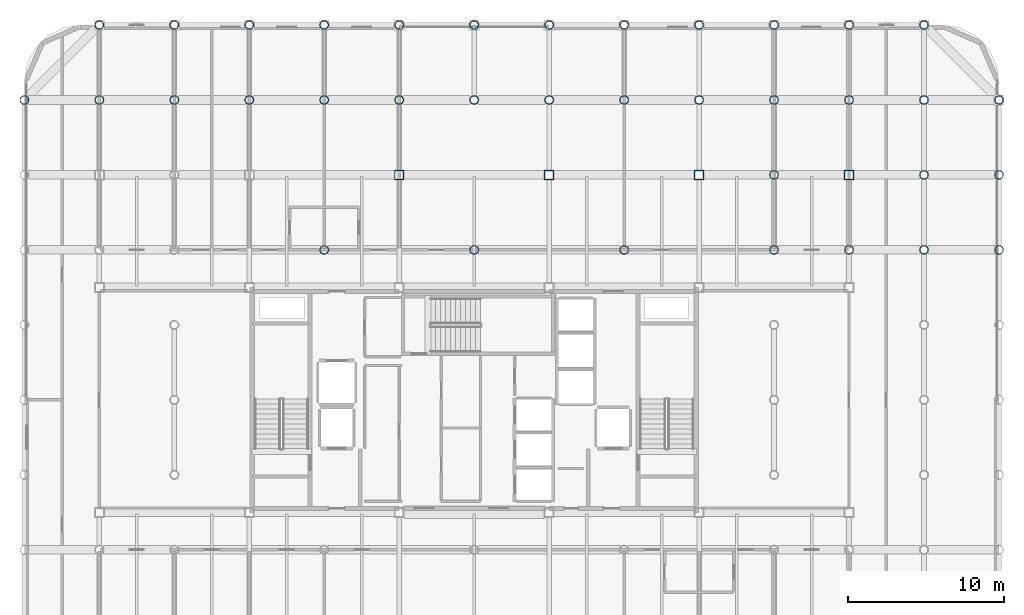
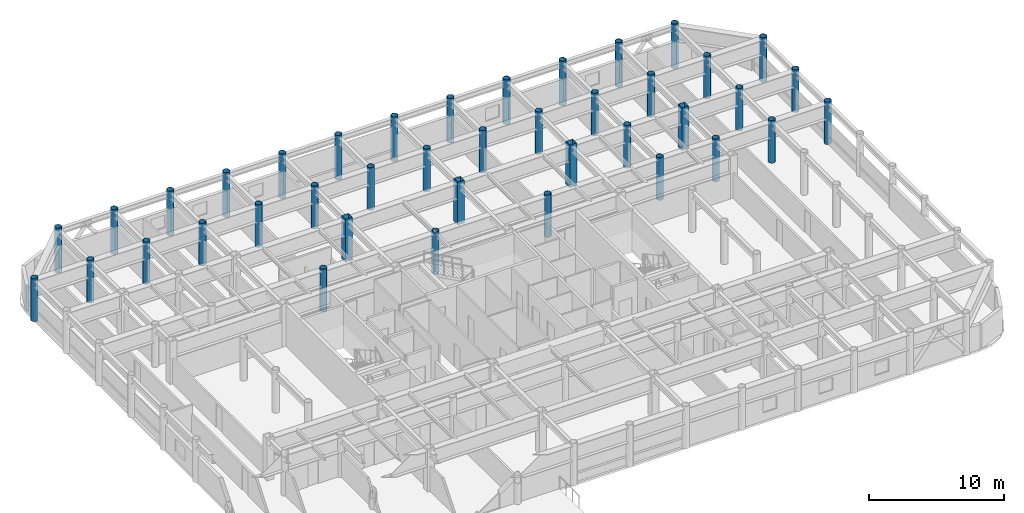
# One storey, part 2 of 26: 40 columns.
"""IFC4 building model written with IfcOpenShell, lengths in metres."""

from ifc_helpers import new_model, si_unit, direction, frame, origin, origin_2d, place, context, subcontext, project, spatial, hollow_rectangle, hollow_circle, extrude, material, material_profile, profile_set, type_object, element, save


model = new_model("IFC4")

# Units and contexts
model_context = context("Model", 3, precision=1e-05, world=origin(), true_north=direction((0.0, 1.0)))
body_context = subcontext(model_context, "Body", "Model", "MODEL_VIEW")
ifc_project = project(units=[si_unit("LENGTHUNIT", "METRE"), si_unit("AREAUNIT", "SQUARE_METRE"), si_unit("VOLUMEUNIT", "CUBIC_METRE"), si_unit("PLANEANGLEUNIT", "RADIAN"), si_unit("MASSUNIT", "GRAM", prefix="KILO")], contexts=[model_context])

# Site, building, storey
site_placement = place(None, origin())
site = spatial("IfcSite", under=ifc_project, at=site_placement, CompositionType="ELEMENT")
building_placement = place(site_placement, origin())
building = spatial("IfcBuilding", under=site, at=building_placement, Name="Kallvorn Hotel Tower", CompositionType="ELEMENT")
storey_placement = place(building_placement, frame((0.0, 0.0, 222.300048828125)))
storey = spatial("IfcBuildingStorey", under=building, at=storey_placement, Name="L55", CompositionType="ELEMENT", Elevation=222.300048828125)

# Columns
ifc_material_1 = material(Name="Structural steel S355J2H", Category="steel")
ifc_material_profile_1 = material_profile(ifc_material_1, hollow_circle(Radius=0.279541015625, WallThickness=0.02490234375, at=origin_2d()), Name="CHS 559x25")
ifc_profile_set_1 = profile_set([ifc_material_profile_1], Name="Structural steel S355J2H")
column_type_1 = type_object("IfcColumnType", Name="COL_CHS_559", PredefinedType="COLUMN", material=ifc_profile_set_1)
for number, where, z_axis, x_axis, name in (
    (1, (-28.800048828125, 19.199951171875, 0.0), (0.0, 0.0, 1.0), (1.0, 0.0, 0.0), "L55 Exoskeleton Column EC09"),
    (2, (-24.0, 19.199951171875, 0.0), (0.0, 0.0, 1.0), (1.0, 0.0, 0.0), "L55 Exoskeleton Column EC13"),
):
    element("IfcColumn", number, at=place(storey_placement, frame(where, z_axis=z_axis, x_axis=x_axis)), inside=storey, type_object=column_type_1, Name=name, PredefinedType="COLUMN", context=body_context, shape_type="SweptSolid", body=[
        extrude(hollow_circle(Radius=0.279541015625, WallThickness=0.02490234375, at=origin_2d()), origin(), (0.0, 0.0, 1.0), 3.849853515625),
    ])
column_1_placement = place(storey_placement, frame((-24.0, 24.0, -0.179931640625), z_axis=(0.0, 0.0, 1.0), x_axis=(1.0, 0.0, 0.0)))
element("IfcColumn", 3, at=column_1_placement, inside=storey, type_object=column_type_1, Name="L55 Exoskeleton Column EC14", PredefinedType="COLUMN", context=body_context, shape_type="SweptSolid", body=[
    extrude(hollow_circle(Radius=0.279541015625, WallThickness=0.02490234375, at=origin_2d()), origin(), (0.0, 0.0, 1.0), 4.02978515625),
])
column_2_placement = place(storey_placement, frame((-19.199951171875, 19.199951171875, 0.0), z_axis=(0.0, 0.0, 1.0), x_axis=(1.0, 0.0, 0.0)))
element("IfcColumn", 4, at=column_2_placement, inside=storey, type_object=column_type_1, Name="L55 Exoskeleton Column EC23", PredefinedType="COLUMN", context=body_context, shape_type="SweptSolid", body=[
    extrude(hollow_circle(Radius=0.279541015625, WallThickness=0.02490234375, at=origin_2d()), origin(), (0.0, 0.0, 1.0), 3.849853515625),
])
column_3_placement = place(storey_placement, frame((-19.199951171875, 24.0, -0.179931640625), z_axis=(0.0, 0.0, 1.0), x_axis=(1.0, 0.0, 0.0)))
element("IfcColumn", 5, at=column_3_placement, inside=storey, type_object=column_type_1, Name="L55 Exoskeleton Column EC24", PredefinedType="COLUMN", context=body_context, shape_type="SweptSolid", body=[
    extrude(hollow_circle(Radius=0.279541015625, WallThickness=0.02490234375, at=origin_2d()), origin(), (0.0, 0.0, 1.0), 4.02978515625),
])
column_4_placement = place(storey_placement, frame((-14.39990234375, 19.199951171875, 0.0), z_axis=(0.0, 0.0, 1.0), x_axis=(1.0, 0.0, 0.0)))
element("IfcColumn", 6, at=column_4_placement, inside=storey, type_object=column_type_1, Name="L55 Exoskeleton Column EC26", PredefinedType="COLUMN", context=body_context, shape_type="SweptSolid", body=[
    extrude(hollow_circle(Radius=0.279541015625, WallThickness=0.02490234375, at=origin_2d()), origin(), (0.0, 0.0, 1.0), 3.849853515625),
])
column_5_placement = place(storey_placement, frame((-14.39990234375, 24.0, -0.179931640625), z_axis=(0.0, 0.0, 1.0), x_axis=(1.0, 0.0, 0.0)))
element("IfcColumn", 7, at=column_5_placement, inside=storey, type_object=column_type_1, Name="L55 Exoskeleton Column EC27", PredefinedType="COLUMN", context=body_context, shape_type="SweptSolid", body=[
    extrude(hollow_circle(Radius=0.279541015625, WallThickness=0.02490234375, at=origin_2d()), origin(), (0.0, 0.0, 1.0), 4.02978515625),
])
for number, where, z_axis, x_axis, name in (
    (8, (-9.60009765625, 9.60009765625, 0.0), (0.0, 0.0, 1.0), (1.0, 0.0, 0.0), "L55 Exoskeleton Column EC30"),
    (9, (-9.60009765625, 19.199951171875, 0.0), (0.0, 0.0, 1.0), (1.0, 0.0, 0.0), "L55 Exoskeleton Column EC31"),
):
    element("IfcColumn", number, at=place(storey_placement, frame(where, z_axis=z_axis, x_axis=x_axis)), inside=storey, type_object=column_type_1, Name=name, PredefinedType="COLUMN", context=body_context, shape_type="SweptSolid", body=[
        extrude(hollow_circle(Radius=0.279541015625, WallThickness=0.02490234375, at=origin_2d()), origin(), (0.0, 0.0, 1.0), 3.849853515625),
    ])
column_6_placement = place(storey_placement, frame((-9.60009765625, 24.0, -0.179931640625), z_axis=(0.0, 0.0, 1.0), x_axis=(1.0, 0.0, 0.0)))
element("IfcColumn", 10, at=column_6_placement, inside=storey, type_object=column_type_1, Name="L55 Exoskeleton Column EC32", PredefinedType="COLUMN", context=body_context, shape_type="SweptSolid", body=[
    extrude(hollow_circle(Radius=0.279541015625, WallThickness=0.02490234375, at=origin_2d()), origin(), (0.0, 0.0, 1.0), 4.02978515625),
])
column_7_placement = place(storey_placement, frame((-4.800048828125, 19.199951171875, 0.0), z_axis=(0.0, 0.0, 1.0), x_axis=(1.0, 0.0, 0.0)))
element("IfcColumn", 11, at=column_7_placement, inside=storey, type_object=column_type_1, Name="L55 Exoskeleton Column EC34", PredefinedType="COLUMN", context=body_context, shape_type="SweptSolid", body=[
    extrude(hollow_circle(Radius=0.279541015625, WallThickness=0.02490234375, at=origin_2d()), origin(), (0.0, 0.0, 1.0), 3.849853515625),
])
column_8_placement = place(storey_placement, frame((-4.800048828125, 24.0, -0.179931640625), z_axis=(0.0, 0.0, 1.0), x_axis=(1.0, 0.0, 0.0)))
element("IfcColumn", 12, at=column_8_placement, inside=storey, type_object=column_type_1, Name="L55 Exoskeleton Column EC35", PredefinedType="COLUMN", context=body_context, shape_type="SweptSolid", body=[
    extrude(hollow_circle(Radius=0.279541015625, WallThickness=0.02490234375, at=origin_2d()), origin(), (0.0, 0.0, 1.0), 4.02978515625),
])
for number, where, z_axis, x_axis, name in (
    (13, (0.0, 9.60009765625, 0.0), (0.0, 0.0, 1.0), (1.0, 0.0, 0.0), "L55 Exoskeleton Column EC38"),
    (14, (0.0, 19.199951171875, 0.0), (0.0, 0.0, 1.0), (1.0, 0.0, 0.0), "L55 Exoskeleton Column EC39"),
):
    element("IfcColumn", number, at=place(storey_placement, frame(where, z_axis=z_axis, x_axis=x_axis)), inside=storey, type_object=column_type_1, Name=name, PredefinedType="COLUMN", context=body_context, shape_type="SweptSolid", body=[
        extrude(hollow_circle(Radius=0.279541015625, WallThickness=0.02490234375, at=origin_2d()), origin(), (0.0, 0.0, 1.0), 3.849853515625),
    ])
column_9_placement = place(storey_placement, frame((0.0, 24.0, -0.179931640625), z_axis=(0.0, 0.0, 1.0), x_axis=(1.0, 0.0, 0.0)))
element("IfcColumn", 15, at=column_9_placement, inside=storey, type_object=column_type_1, Name="L55 Exoskeleton Column EC40", PredefinedType="COLUMN", context=body_context, shape_type="SweptSolid", body=[
    extrude(hollow_circle(Radius=0.279541015625, WallThickness=0.02490234375, at=origin_2d()), origin(), (0.0, 0.0, 1.0), 4.02978515625),
])
column_10_placement = place(storey_placement, frame((4.800048828125, 19.199951171875, 0.0), z_axis=(0.0, 0.0, 1.0), x_axis=(1.0, 0.0, 0.0)))
element("IfcColumn", 16, at=column_10_placement, inside=storey, type_object=column_type_1, Name="L55 Exoskeleton Column EC42", PredefinedType="COLUMN", context=body_context, shape_type="SweptSolid", body=[
    extrude(hollow_circle(Radius=0.279541015625, WallThickness=0.02490234375, at=origin_2d()), origin(), (0.0, 0.0, 1.0), 3.849853515625),
])
column_11_placement = place(storey_placement, frame((4.800048828125, 24.0, -0.179931640625), z_axis=(0.0, 0.0, 1.0), x_axis=(1.0, 0.0, 0.0)))
element("IfcColumn", 17, at=column_11_placement, inside=storey, type_object=column_type_1, Name="L55 Exoskeleton Column EC43", PredefinedType="COLUMN", context=body_context, shape_type="SweptSolid", body=[
    extrude(hollow_circle(Radius=0.279541015625, WallThickness=0.02490234375, at=origin_2d()), origin(), (0.0, 0.0, 1.0), 4.02978515625),
])
for number, where, z_axis, x_axis, name in (
    (18, (9.60009765625, 9.60009765625, 0.0), (0.0, 0.0, 1.0), (1.0, 0.0, 0.0), "L55 Exoskeleton Column EC46"),
    (19, (9.60009765625, 19.199951171875, 0.0), (0.0, 0.0, 1.0), (1.0, 0.0, 0.0), "L55 Exoskeleton Column EC47"),
):
    element("IfcColumn", number, at=place(storey_placement, frame(where, z_axis=z_axis, x_axis=x_axis)), inside=storey, type_object=column_type_1, Name=name, PredefinedType="COLUMN", context=body_context, shape_type="SweptSolid", body=[
        extrude(hollow_circle(Radius=0.279541015625, WallThickness=0.02490234375, at=origin_2d()), origin(), (0.0, 0.0, 1.0), 3.849853515625),
    ])
column_12_placement = place(storey_placement, frame((9.60009765625, 24.0, -0.179931640625), z_axis=(0.0, 0.0, 1.0), x_axis=(1.0, 0.0, 0.0)))
element("IfcColumn", 20, at=column_12_placement, inside=storey, type_object=column_type_1, Name="L55 Exoskeleton Column EC48", PredefinedType="COLUMN", context=body_context, shape_type="SweptSolid", body=[
    extrude(hollow_circle(Radius=0.279541015625, WallThickness=0.02490234375, at=origin_2d()), origin(), (0.0, 0.0, 1.0), 4.02978515625),
])
column_13_placement = place(storey_placement, frame((14.39990234375, 19.199951171875, 0.0), z_axis=(0.0, 0.0, 1.0), x_axis=(1.0, 0.0, 0.0)))
element("IfcColumn", 21, at=column_13_placement, inside=storey, type_object=column_type_1, Name="L55 Exoskeleton Column EC50", PredefinedType="COLUMN", context=body_context, shape_type="SweptSolid", body=[
    extrude(hollow_circle(Radius=0.279541015625, WallThickness=0.02490234375, at=origin_2d()), origin(), (0.0, 0.0, 1.0), 3.849853515625),
])
column_14_placement = place(storey_placement, frame((14.39990234375, 24.0, -0.179931640625), z_axis=(0.0, 0.0, 1.0), x_axis=(1.0, 0.0, 0.0)))
element("IfcColumn", 22, at=column_14_placement, inside=storey, type_object=column_type_1, Name="L55 Exoskeleton Column EC51", PredefinedType="COLUMN", context=body_context, shape_type="SweptSolid", body=[
    extrude(hollow_circle(Radius=0.279541015625, WallThickness=0.02490234375, at=origin_2d()), origin(), (0.0, 0.0, 1.0), 4.02978515625),
])
for number, where, z_axis, x_axis, name in (
    (23, (19.199951171875, 9.60009765625, 0.0), (0.0, 0.0, 1.0), (1.0, 0.0, 0.0), "L55 Exoskeleton Column EC58"),
    (24, (19.199951171875, 14.39990234375, 0.0), (0.0, 0.0, 1.0), (1.0, 0.0, 0.0), "L55 Exoskeleton Column EC59"),
    (25, (19.199951171875, 19.199951171875, 0.0), (0.0, 0.0, 1.0), (1.0, 0.0, 0.0), "L55 Exoskeleton Column EC60"),
):
    element("IfcColumn", number, at=place(storey_placement, frame(where, z_axis=z_axis, x_axis=x_axis)), inside=storey, type_object=column_type_1, Name=name, PredefinedType="COLUMN", context=body_context, shape_type="SweptSolid", body=[
        extrude(hollow_circle(Radius=0.279541015625, WallThickness=0.02490234375, at=origin_2d()), origin(), (0.0, 0.0, 1.0), 3.849853515625),
    ])
column_15_placement = place(storey_placement, frame((19.199951171875, 24.0, -0.179931640625), z_axis=(0.0, 0.0, 1.0), x_axis=(1.0, 0.0, 0.0)))
element("IfcColumn", 26, at=column_15_placement, inside=storey, type_object=column_type_1, Name="L55 Exoskeleton Column EC61", PredefinedType="COLUMN", context=body_context, shape_type="SweptSolid", body=[
    extrude(hollow_circle(Radius=0.279541015625, WallThickness=0.02490234375, at=origin_2d()), origin(), (0.0, 0.0, 1.0), 4.02978515625),
])
for number, where, z_axis, x_axis, name in (
    (27, (24.0, 9.60009765625, 0.0), (0.0, 0.0, 1.0), (1.0, 0.0, 0.0), "L55 Exoskeleton Column EC64"),
    (28, (24.0, 19.199951171875, 0.0), (0.0, 0.0, 1.0), (1.0, 0.0, 0.0), "L55 Exoskeleton Column EC65"),
):
    element("IfcColumn", number, at=place(storey_placement, frame(where, z_axis=z_axis, x_axis=x_axis)), inside=storey, type_object=column_type_1, Name=name, PredefinedType="COLUMN", context=body_context, shape_type="SweptSolid", body=[
        extrude(hollow_circle(Radius=0.279541015625, WallThickness=0.02490234375, at=origin_2d()), origin(), (0.0, 0.0, 1.0), 3.849853515625),
    ])
column_16_placement = place(storey_placement, frame((24.0, 24.0, -0.179931640625), z_axis=(0.0, 0.0, 1.0), x_axis=(1.0, 0.0, 0.0)))
element("IfcColumn", 29, at=column_16_placement, inside=storey, type_object=column_type_1, Name="L55 Exoskeleton Column EC66", PredefinedType="COLUMN", context=body_context, shape_type="SweptSolid", body=[
    extrude(hollow_circle(Radius=0.279541015625, WallThickness=0.02490234375, at=origin_2d()), origin(), (0.0, 0.0, 1.0), 4.02978515625),
])
for number, where, z_axis, x_axis, name in (
    (30, (28.800048828125, 9.60009765625, 0.0), (0.0, 0.0, 1.0), (1.0, 0.0, 0.0), "L55 Exoskeleton Column EC73"),
    (31, (28.800048828125, 14.39990234375, 0.0), (0.0, 0.0, 1.0), (1.0, 0.0, 0.0), "L55 Exoskeleton Column EC74"),
    (32, (28.800048828125, 19.199951171875, 0.0), (0.0, 0.0, 1.0), (1.0, 0.0, 0.0), "L55 Exoskeleton Column EC75"),
):
    element("IfcColumn", number, at=place(storey_placement, frame(where, z_axis=z_axis, x_axis=x_axis)), inside=storey, type_object=column_type_1, Name=name, PredefinedType="COLUMN", context=body_context, shape_type="SweptSolid", body=[
        extrude(hollow_circle(Radius=0.279541015625, WallThickness=0.02490234375, at=origin_2d()), origin(), (0.0, 0.0, 1.0), 3.849853515625),
    ])
column_17_placement = place(storey_placement, frame((28.800048828125, 24.0, -0.179931640625), z_axis=(0.0, 0.0, 1.0), x_axis=(1.0, 0.0, 0.0)))
element("IfcColumn", 33, at=column_17_placement, inside=storey, type_object=column_type_1, Name="L55 Exoskeleton Column EC76", PredefinedType="COLUMN", context=body_context, shape_type="SweptSolid", body=[
    extrude(hollow_circle(Radius=0.279541015625, WallThickness=0.02490234375, at=origin_2d()), origin(), (0.0, 0.0, 1.0), 4.02978515625),
])
for number, where, z_axis, x_axis, name in (
    (34, (33.60009765625, 9.60009765625, 0.0), (0.0, 0.0, 1.0), (1.0, 0.0, 0.0), "L55 Exoskeleton Column EC82"),
    (35, (33.60009765625, 14.39990234375, 0.0), (0.0, 0.0, 1.0), (1.0, 0.0, 0.0), "L55 Exoskeleton Column EC83"),
):
    element("IfcColumn", number, at=place(storey_placement, frame(where, z_axis=z_axis, x_axis=x_axis)), inside=storey, type_object=column_type_1, Name=name, PredefinedType="COLUMN", context=body_context, shape_type="SweptSolid", body=[
        extrude(hollow_circle(Radius=0.279541015625, WallThickness=0.02490234375, at=origin_2d()), origin(), (0.0, 0.0, 1.0), 3.849853515625),
    ])
column_18_placement = place(storey_placement, frame((33.60009765625, 19.199951171875, -0.179931640625), z_axis=(0.0, 0.0, 1.0), x_axis=(1.0, 0.0, 0.0)))
element("IfcColumn", 36, at=column_18_placement, inside=storey, type_object=column_type_1, Name="L55 Exoskeleton Column EC84", PredefinedType="COLUMN", context=body_context, shape_type="SweptSolid", body=[
    extrude(hollow_circle(Radius=0.279541015625, WallThickness=0.02490234375, at=origin_2d()), origin(), (0.0, 0.0, 1.0), 4.02978515625),
])
ifc_material_2 = material(Name="Structural steel S355J2H", Category="steel")
ifc_material_profile_2 = material_profile(ifc_material_2, hollow_rectangle(XDim=0.60009765625, YDim=0.60009765625, WallThickness=0.028076171875, at=origin_2d()), Name="RHS 600x600x28")
ifc_profile_set_2 = profile_set([ifc_material_profile_2], Name="Structural steel S355J2H")
column_type_2 = type_object("IfcColumnType", Name="COL_RHS_600", PredefinedType="COLUMN", material=ifc_profile_set_2)
for number, where, z_axis, x_axis, name in (
    (37, (-4.800048828125, 14.39990234375, 0.0), (0.0, 0.0, 1.0), (1.0, 0.0, 0.0), "L55 Inner Column IC12"),
    (38, (4.800048828125, 14.39990234375, 0.0), (0.0, 0.0, 1.0), (1.0, 0.0, 0.0), "L55 Inner Column IC16"),
    (39, (14.39990234375, 14.39990234375, 0.0), (0.0, 0.0, 1.0), (1.0, 0.0, 0.0), "L55 Inner Column IC20"),
    (40, (24.0, 14.39990234375, 0.0), (0.0, 0.0, 1.0), (1.0, 0.0, 0.0), "L55 Inner Column IC24"),
):
    element("IfcColumn", number, at=place(storey_placement, frame(where, z_axis=z_axis, x_axis=x_axis)), inside=storey, type_object=column_type_2, Name=name, PredefinedType="COLUMN", context=body_context, shape_type="SweptSolid", body=[
        extrude(hollow_rectangle(XDim=0.60009765625, YDim=0.60009765625, WallThickness=0.028076171875, at=origin_2d()), origin(), (0.0, 0.0, 1.0), 3.849853515625),
    ])

save(model, "model.ifc")
